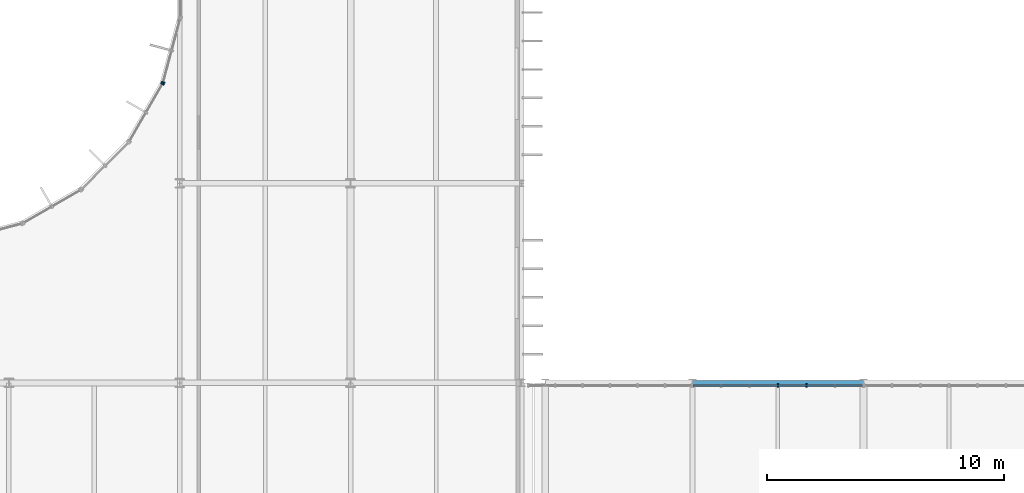
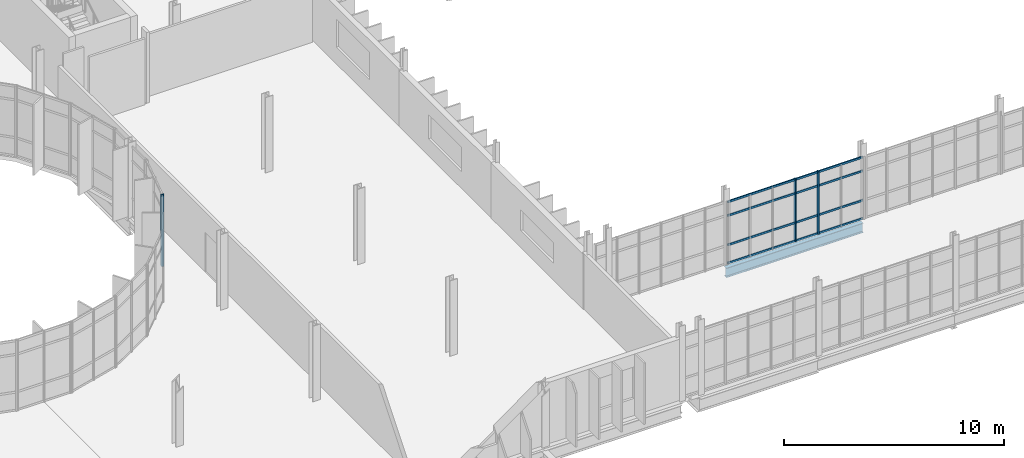
# One storey, part 48 of 119: 8 members, 1 beam, 3 elements without a shape of their own.
"""IFC4 building model written with IfcOpenShell, lengths in metres."""

import ifcopenshell
import ifcopenshell.guid

model = None  # the IFC model being written
_history = None  # IfcOwnerHistory: only IFC2X3 demands one
_inside = {}  # id of a spatial element -> (the spatial element, [elements in it])
_under = {}  # id of a project, library or spatial element -> (it, [spatial elements below it])
_declared = {}  # id of a project -> (the project, [libraries it declares])
_typed = {}  # id of a type object -> (the type object, [elements of that type])
_made_of = {}  # id of a material, layer set ... -> (it, [elements and type objects made of it])


def new_model(schema):
    """Start an empty IFC model of exactly this schema.

    Asked for "IFC4X3", IfcOpenShell would pick the latest addendum, in which some entities
    have other attributes; the version numbers below select the first issue.
    IFC2X3 requires an IfcOwnerHistory on every rooted entity: one is made here for all.
    """
    global model, _history
    if schema == "IFC4X3":
        model = ifcopenshell.file(schema_version=(4, 3, 0, 0))
    else:
        model = ifcopenshell.file(schema=schema)
    _inside.clear()
    _under.clear()
    _declared.clear()
    _typed.clear()
    _made_of.clear()
    _history = None
    if model.schema == "IFC2X3":
        org = make("IfcOrganization", Name="unknown")
        user = make(
            "IfcPersonAndOrganization",
            ThePerson=make("IfcPerson", FamilyName="unknown"),
            TheOrganization=org,
        )
        app = make(
            "IfcApplication",
            ApplicationDeveloper=org,
            Version="unknown",
            ApplicationFullName="unknown",
            ApplicationIdentifier="unknown",
        )
        _history = make(
            "IfcOwnerHistory",
            OwningUser=user,
            OwningApplication=app,
            ChangeAction="ADDED",
            CreationDate=0,
        )
    return model


def make(cls, **values):
    """One entity of the class cls with the attributes given. An attribute that is None is left unset."""
    return model.create_entity(
        cls, **{name: value for name, value in values.items() if value is not None}
    )


def rooted(cls, **values):
    """An entity with a GlobalId (a new one), such as an element, a storey or a relation."""
    return make(cls, GlobalId=ifcopenshell.guid.new(), OwnerHistory=_history, **values)


def si_unit(unit_type, name, prefix=None):
    """IfcSIUnit, for example si_unit("LENGTHUNIT", "METRE", prefix="MILLI")."""
    return make("IfcSIUnit", UnitType=unit_type, Prefix=prefix, Name=name)


def assignment(units):
    """IfcUnitAssignment: the units of a project."""
    return None if units is None else make("IfcUnitAssignment", Units=units)


def point(xyz):
    """IfcCartesianPoint."""
    return None if xyz is None else make("IfcCartesianPoint", Coordinates=xyz)


def direction(xyz):
    """IfcDirection."""
    return None if xyz is None else make("IfcDirection", DirectionRatios=xyz)


def frame(location, z_axis=None, x_axis=None):
    """IfcAxis2Placement3D, a coordinate frame: its origin and axes. An axis left out is left unset."""
    return make(
        "IfcAxis2Placement3D",
        Location=point(location),
        Axis=direction(z_axis),
        RefDirection=direction(x_axis),
    )


def frame_2d(location, x_axis=None):
    """IfcAxis2Placement2D, a coordinate frame in the plane: its origin and x axis."""
    return make(
        "IfcAxis2Placement2D", Location=point(location), RefDirection=direction(x_axis)
    )


def origin():
    """The frame at (0, 0, 0) with its axes left unset."""
    return frame((0.0, 0.0, 0.0))


def origin_2d():
    """The frame at (0, 0) in the plane with its x axis left unset."""
    return frame_2d((0.0, 0.0))


def place(relative_to, where):
    """IfcLocalPlacement: puts the frame where relative to a parent placement (None: the world)."""
    return make(
        "IfcLocalPlacement", PlacementRelTo=relative_to, RelativePlacement=where
    )


def context(
    kind, dimensions, precision=None, world=None, true_north=None, identifier=None
):
    """IfcGeometricRepresentationContext, for example the 3D "Model" context."""
    return make(
        "IfcGeometricRepresentationContext",
        ContextIdentifier=identifier,
        ContextType=kind,
        CoordinateSpaceDimension=dimensions,
        Precision=precision,
        WorldCoordinateSystem=world,
        TrueNorth=true_north,
    )


def subcontext(parent, identifier, kind, view, scale=None):
    """IfcGeometricRepresentationSubContext, for example "Body" below "Model"."""
    return make(
        "IfcGeometricRepresentationSubContext",
        ContextIdentifier=identifier,
        ContextType=kind,
        ParentContext=parent,
        TargetScale=scale,
        TargetView=view,
    )


def project(units=None, contexts=None):
    """IfcProject with its units and contexts."""
    return rooted(
        "IfcProject",
        Name="project",
        RepresentationContexts=contexts,
        UnitsInContext=assignment(units),
    )


def spatial(cls, under=None, at=None, **own):
    """A site, building, storey or space (cls), placed at a placement, below another one or the project."""
    s = rooted(cls, ObjectPlacement=at, **own)
    if under is not None:
        _under.setdefault(under.id(), (under, []))[1].append(s)
    return s


def profile(cls, at=None, kind="AREA", **sizes):
    """A parametric profile (cls). Its sizes go by their IFC names, for example OverallWidth=200.0."""
    return make(cls, ProfileType=kind, Position=at, **sizes)


def rectangle(**sizes):
    """IfcRectangleProfileDef."""
    return profile("IfcRectangleProfileDef", **sizes)


def i_section(**sizes):
    """IfcIShapeProfileDef."""
    return profile("IfcIShapeProfileDef", **sizes)


def extrude(swept, where, along, depth):
    """IfcExtrudedAreaSolid: the profile swept, set in the frame where, extruded along a direction by depth."""
    return make(
        "IfcExtrudedAreaSolid",
        SweptArea=swept,
        Position=where,
        ExtrudedDirection=direction(along),
        Depth=depth,
    )


def shape(context_of_items, identifier, shape_type, items):
    """IfcShapeRepresentation: the items that make up one representation, for example the "Body"."""
    return make(
        "IfcShapeRepresentation",
        ContextOfItems=context_of_items,
        RepresentationIdentifier=identifier,
        RepresentationType=shape_type,
        Items=items,
    )


def material(Name=None, Category=None):
    """IfcMaterial."""
    return make("IfcMaterial", Name=Name, Category=Category)


def material_profile(
    of_material, cross_section, Name=None, Category=None, Priority=None
):
    """IfcMaterialProfile: a cross section and its material."""
    return make(
        "IfcMaterialProfile",
        Name=Name,
        Material=of_material,
        Profile=cross_section,
        Priority=Priority,
        Category=Category,
    )


def profile_set(profiles, Name=None, composite=None):
    """IfcMaterialProfileSet."""
    return make(
        "IfcMaterialProfileSet",
        Name=Name,
        MaterialProfiles=profiles,
        CompositeProfile=composite,
    )


def made_of(thing, what):
    """Note that an element or type object is made of a material, layer set ...; save() writes the relation."""
    if what is not None:
        _made_of.setdefault(what.id(), (what, []))[1].append(thing)
    return thing


def type_object(cls, material=None, **own):
    """A type object (cls), such as IfcWallType, which elements share."""
    return made_of(rooted(cls, **own), material)


def element(
    cls,
    number,
    at=None,
    inside=None,
    cuts=None,
    type_object=None,
    material=None,
    context=None,
    identifier="Body",
    shape_type=None,
    held_by="IfcProductDefinitionShape",
    body=None,
    shapes=None,
    **own,
):
    """One element of the class cls, such as IfcWall. Its Tag is "e" and its number.

    at: its placement. inside: the storey or other place that contains it. cuts: it is an
    opening in that element (IfcRelVoidsElement). A single representation is given by context,
    identifier, shape_type and body (its items); several are given by shapes. held_by: the class
    of the entity that holds the representations. save() writes the other relations.
    """
    e = rooted(cls, Tag="e%d" % number, ObjectPlacement=at, **own)
    if body is not None:
        shapes = [shape(context, identifier, shape_type, body)]
    if shapes is not None:
        e.Representation = make(held_by, Representations=shapes)
    if inside is not None:
        _inside.setdefault(inside.id(), (inside, []))[1].append(e)
    if cuts is not None:
        rooted(
            "IfcRelVoidsElement", RelatingBuildingElement=cuts, RelatedOpeningElement=e
        )
    if type_object is not None:
        _typed.setdefault(type_object.id(), (type_object, []))[1].append(e)
    return made_of(e, material)


def aggregate(whole, parts):
    """IfcRelAggregates: a whole, such as a stair, and the parts it consists of."""
    return rooted("IfcRelAggregates", RelatingObject=whole, RelatedObjects=parts)


def save(model, path):
    """Write the relations noted so far, then the file.

    IfcRelAggregates (storeys below a building ...), IfcRelContainedInSpatialStructure (elements
    in a storey), IfcRelDefinesByType, IfcRelAssociatesMaterial and IfcRelDeclares: one each for
    every whole, place, type object, material and project.
    """
    for whole, parts in _under.values():
        aggregate(whole, parts)
    for where, things in _inside.values():
        rooted(
            "IfcRelContainedInSpatialStructure",
            RelatedElements=things,
            RelatingStructure=where,
        )
    for kind, things in _typed.values():
        rooted("IfcRelDefinesByType", RelatedObjects=things, RelatingType=kind)
    for what, things in _made_of.values():
        rooted("IfcRelAssociatesMaterial", RelatedObjects=things, RelatingMaterial=what)
    for by, libraries in _declared.values():
        rooted("IfcRelDeclares", RelatingContext=by, RelatedDefinitions=libraries)
    model.write(path)


model = new_model("IFC4")

# Units and contexts
model_context = context("Model", 3, precision=1e-05, world=origin(), true_north=direction((0.0, 1.0)))
body_context = subcontext(model_context, "Body", "Model", "MODEL_VIEW")
ifc_project = project(units=[si_unit("LENGTHUNIT", "METRE"), si_unit("AREAUNIT", "SQUARE_METRE"), si_unit("VOLUMEUNIT", "CUBIC_METRE"), si_unit("PLANEANGLEUNIT", "RADIAN"), si_unit("MASSUNIT", "GRAM", prefix="KILO")], contexts=[model_context])

# Site, building, storey
site_placement = place(None, origin())
site = spatial("IfcSite", under=ifc_project, at=site_placement, CompositionType="ELEMENT")
building_placement = place(site_placement, origin())
building = spatial("IfcBuilding", under=site, at=building_placement, Name="Qelthora Terrace Specialist Clinic", CompositionType="ELEMENT")
storey_placement = place(building_placement, frame((0.0, 0.0, 4.800048828125)))
storey = spatial("IfcBuildingStorey", under=building, at=storey_placement, Name="L01", CompositionType="ELEMENT", Elevation=4.800048828125)

# Beam
ifc_material_1 = material(Name="Steel S355", Category="steel")
ifc_material_profile_1 = material_profile(ifc_material_1, i_section(OverallWidth=0.2099609375, OverallDepth=0.537109375, WebThickness=0.010986328125, FlangeThickness=0.017333984375, FilletRadius=0.013916015625, at=origin_2d()), Name="W530X101")
ifc_profile_set_1 = profile_set([ifc_material_profile_1], Name="Steel S355")
beam_type = type_object("IfcBeamType", Name="BM-W530X101", PredefinedType="BEAM", material=ifc_profile_set_1)
beam_placement = place(storey_placement, frame((57.60009765625, 67.199951171875, -0.5185546875), z_axis=(1.0, 0.0, 0.0), x_axis=(0.0, 1.0, 0.0)))
element("IfcBeam", 1, at=beam_placement, inside=storey, type_object=beam_type, Name="Girder BMX-L01-0258", PredefinedType="BEAM", context=body_context, shape_type="SweptSolid", body=[
    extrude(i_section(OverallWidth=0.2099609375, OverallDepth=0.537109375, WebThickness=0.010986328125, FlangeThickness=0.017333984375, FilletRadius=0.013916015625, at=origin_2d()), origin(), (0.0, 0.0, 1.0), 7.199951171875),
])

# Curtain wall, member
ifc_material_2 = material(Name="Aluminium anodized bronze", Category="aluminium")
curtain_wall_type_1 = type_object("IfcCurtainWallType", Name="CW-CRTW-UPP", PredefinedType="NOTDEFINED", material=ifc_material_2)
curtain_wall_1_placement = place(storey_placement, origin())
curtain_wall_1 = element("IfcCurtainWall", 2, at=curtain_wall_1_placement, inside=storey, type_object=curtain_wall_type_1, Name="Curtain wall CW-CW-L01-22", PredefinedType="NOTDEFINED")
ifc_material_profile_2 = material_profile(ifc_material_2, rectangle(XDim=0.06005859375, YDim=0.14990234375, at=origin_2d()), Name="CWM60X150")
ifc_profile_set_2 = profile_set([ifc_material_profile_2], Name="Aluminium anodized bronze")
member_type_1 = type_object("IfcMemberType", Name="CWM-60X150", PredefinedType="MULLION", material=ifc_profile_set_2)
member_1_placement = place(storey_placement, frame((35.271728515625, 79.789794921875, 0.0), z_axis=(0.0, 0.0, 1.0), x_axis=(0.499999597971, 0.866025635896, 0.0)))
member_1 = element("IfcMember", 3, at=member_1_placement, type_object=member_type_1, Name="CW-CW-L01-22 mullion 3", PredefinedType="MULLION", context=body_context, shape_type="SweptSolid", body=[
    extrude(rectangle(XDim=0.06005859375, YDim=0.14990234375, at=origin_2d()), origin(), (0.0, 0.0, 1.0), 3.945068359375),
])
aggregate(curtain_wall_1, [member_1])

curtain_wall_2_placement = place(storey_placement, origin())
curtain_wall_2 = element("IfcCurtainWall", 4, at=curtain_wall_2_placement, inside=storey, type_object=curtain_wall_type_1, Name="Curtain wall CW-CW-L01-23", PredefinedType="NOTDEFINED")
member_2_placement = place(storey_placement, frame((35.299072265625, 79.855224609375, 0.0), z_axis=(0.0, 0.0, 1.0), x_axis=(0.258820356987, 0.96592547477, 0.0)))
member_2 = element("IfcMember", 5, at=member_2_placement, type_object=member_type_1, Name="CW-CW-L01-23 mullion 1", PredefinedType="MULLION", context=body_context, shape_type="SweptSolid", body=[
    extrude(rectangle(XDim=0.06005859375, YDim=0.14990234375, at=origin_2d()), origin(), (0.0, 0.0, 1.0), 3.945068359375),
])
aggregate(curtain_wall_2, [member_2])

# Curtain wall, members
curtain_wall_type_2 = type_object("IfcCurtainWallType", Name="CW-BRG-L01", PredefinedType="NOTDEFINED", material=ifc_material_2)
curtain_wall_3_placement = place(storey_placement, origin())
curtain_wall_3 = element("IfcCurtainWall", 6, at=curtain_wall_3_placement, inside=storey, type_object=curtain_wall_type_2, Name="Curtain wall CW-L01-235", PredefinedType="NOTDEFINED")
member_3_placement = place(storey_placement, frame((61.199951171875, 67.080078125, 0.0), z_axis=(0.0, 0.0, 1.0), x_axis=(1.0, 0.0, 0.0)))
member_3 = element("IfcMember", 7, at=member_3_placement, type_object=member_type_1, Name="CW-L01-235 mullion 4", PredefinedType="MULLION", context=body_context, shape_type="SweptSolid", body=[
    extrude(rectangle(XDim=0.06005859375, YDim=0.14990234375, at=origin_2d()), origin(), (0.0, 0.0, 1.0), 3.48193359375),
])
member_4_placement = place(storey_placement, frame((62.39990234375, 67.080078125, 0.0), z_axis=(0.0, 0.0, 1.0), x_axis=(1.0, 0.0, 0.0)))
member_4 = element("IfcMember", 8, at=member_4_placement, type_object=member_type_1, Name="CW-L01-235 mullion 5", PredefinedType="MULLION", context=body_context, shape_type="SweptSolid", body=[
    extrude(rectangle(XDim=0.06005859375, YDim=0.14990234375, at=origin_2d()), origin(), (0.0, 0.0, 1.0), 3.48193359375),
])
ifc_material_profile_3 = material_profile(ifc_material_2, rectangle(XDim=0.06005859375, YDim=0.110107421875, at=origin_2d()), Name="CWT60X110")
ifc_profile_set_3 = profile_set([ifc_material_profile_3], Name="Aluminium anodized bronze")
member_type_2 = type_object("IfcMemberType", Name="CWT-60X110", PredefinedType="USERDEFINED", material=ifc_profile_set_3)
member_5_placement = place(storey_placement, frame((57.639892578125, 67.080078125, 0.0400390625), z_axis=(1.0, 0.0, 0.0), x_axis=(0.0, 1.0, 0.0)))
member_5 = element("IfcMember", 9, at=member_5_placement, type_object=member_type_2, Name="CW-L01-235 transom 1", ObjectType="TRANSOM", PredefinedType="USERDEFINED", context=body_context, shape_type="SweptSolid", body=[
    extrude(rectangle(XDim=0.06005859375, YDim=0.110107421875, at=origin_2d()), origin(), (0.0, 0.0, 1.0), 7.1201171875),
])
member_6_placement = place(storey_placement, frame((57.639892578125, 67.080078125, 1.050048828125), z_axis=(1.0, 0.0, 0.0), x_axis=(0.0, 1.0, 0.0)))
member_6 = element("IfcMember", 10, at=member_6_placement, type_object=member_type_2, Name="CW-L01-235 transom 2", ObjectType="TRANSOM", PredefinedType="USERDEFINED", context=body_context, shape_type="SweptSolid", body=[
    extrude(rectangle(XDim=0.06005859375, YDim=0.110107421875, at=origin_2d()), origin(), (0.0, 0.0, 1.0), 7.1201171875),
])
member_7_placement = place(storey_placement, frame((57.639892578125, 67.080078125, 2.681884765625), z_axis=(1.0, 0.0, 0.0), x_axis=(0.0, 1.0, 0.0)))
member_7 = element("IfcMember", 11, at=member_7_placement, type_object=member_type_2, Name="CW-L01-235 transom 3", ObjectType="TRANSOM", PredefinedType="USERDEFINED", context=body_context, shape_type="SweptSolid", body=[
    extrude(rectangle(XDim=0.06005859375, YDim=0.110107421875, at=origin_2d()), origin(), (0.0, 0.0, 1.0), 7.1201171875),
])
member_8_placement = place(storey_placement, frame((57.639892578125, 67.080078125, 3.44189453125), z_axis=(1.0, 0.0, 0.0), x_axis=(0.0, 1.0, 0.0)))
member_8 = element("IfcMember", 12, at=member_8_placement, type_object=member_type_2, Name="CW-L01-235 transom 4", ObjectType="TRANSOM", PredefinedType="USERDEFINED", context=body_context, shape_type="SweptSolid", body=[
    extrude(rectangle(XDim=0.06005859375, YDim=0.110107421875, at=origin_2d()), origin(), (0.0, 0.0, 1.0), 7.1201171875),
])
aggregate(curtain_wall_3, [member_3, member_4, member_5, member_6, member_7, member_8])

save(model, "model.ifc")
